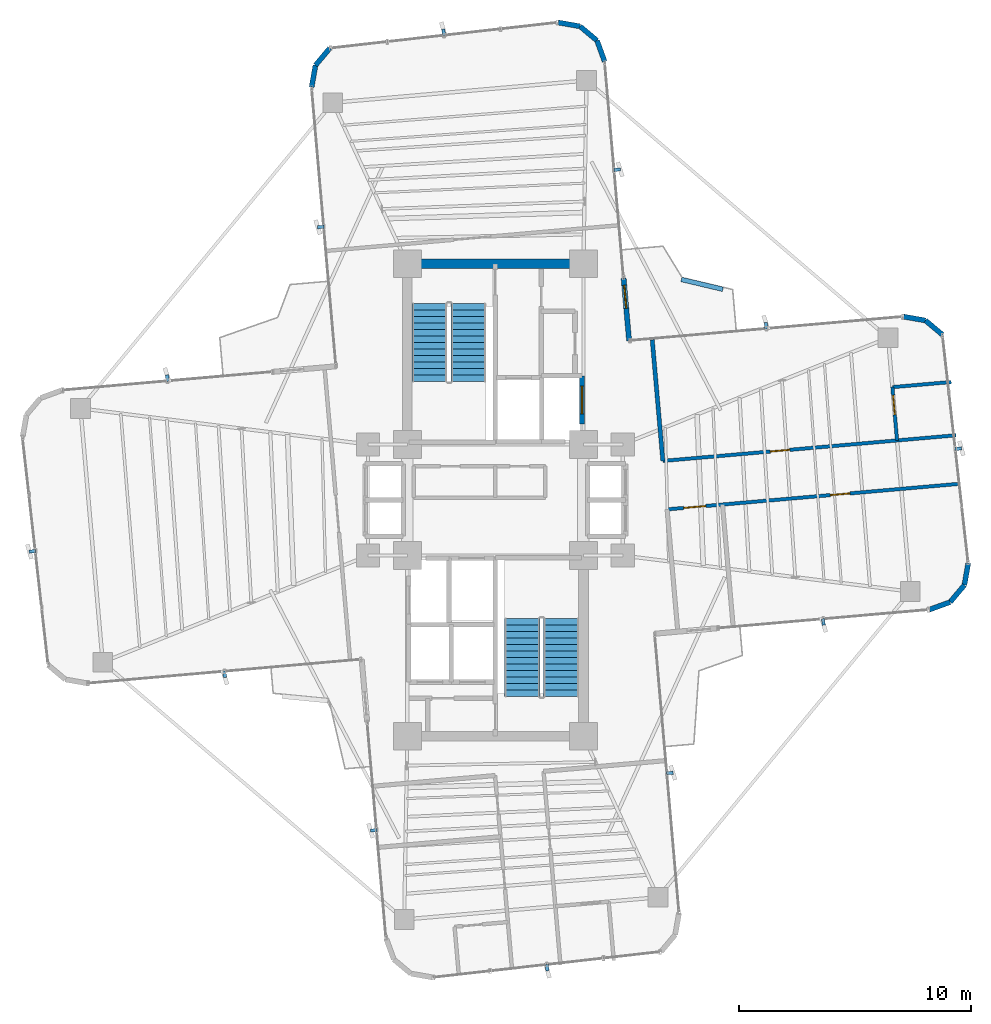
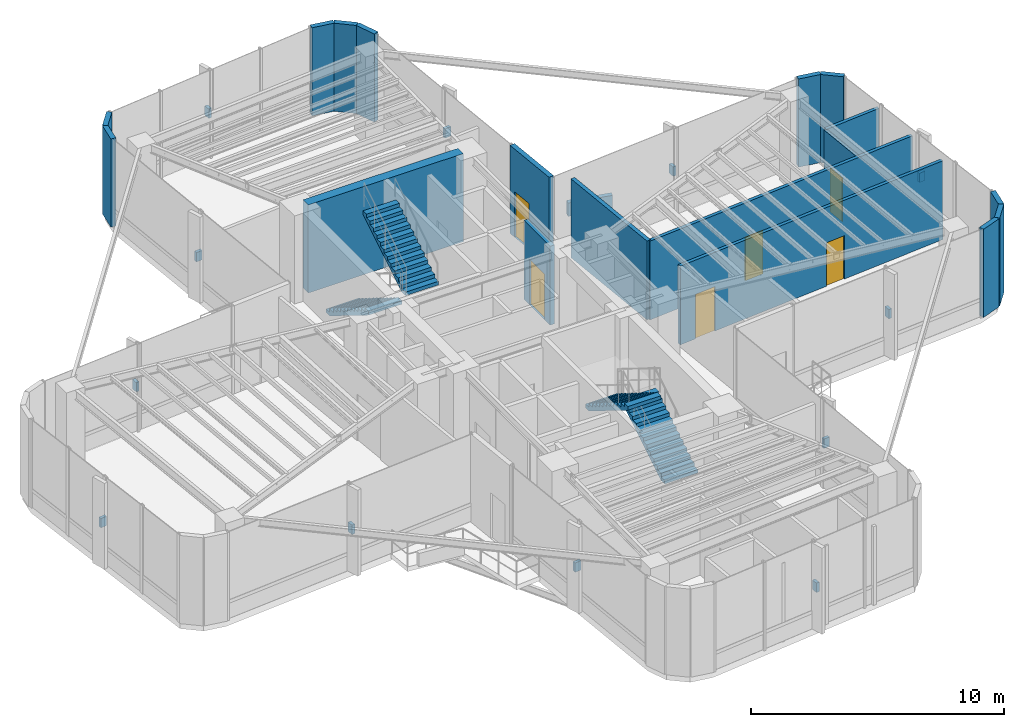
# One storey, part 18 of 19: 19 walls, 12 discrete accessories, 6 doors, 4 stair flights, 6 openings, 2 elements without a shape of their own.
"""IFC4 building model written with IfcOpenShell, lengths in metres."""

from ifc_helpers import new_model, si_unit, direction, frame, frame_2d, origin, origin_2d, place, context, subcontext, project, spatial, polyline, rectangle, outline, extrude, source, transform, mapped, material, layer, layer_set, type_object, element, fill, aggregate, save


model = new_model("IFC4")

# Units and contexts
model_context = context("Model", 3, precision=1e-05, world=origin(), true_north=direction((0.0, 1.0)))
body_context = subcontext(model_context, "Body", "Model", "MODEL_VIEW")
ifc_project = project(units=[si_unit("LENGTHUNIT", "METRE"), si_unit("AREAUNIT", "SQUARE_METRE"), si_unit("VOLUMEUNIT", "CUBIC_METRE"), si_unit("PLANEANGLEUNIT", "RADIAN"), si_unit("MASSUNIT", "GRAM", prefix="KILO")], contexts=[model_context])

# Site, building, storey
site_placement = place(None, origin())
site = spatial("IfcSite", under=ifc_project, at=site_placement, CompositionType="ELEMENT")
building_placement = place(site_placement, origin())
building = spatial("IfcBuilding", under=site, at=building_placement, Name="Sahyath Konkavel Grand Hotel", CompositionType="ELEMENT")
storey_placement = place(building_placement, frame((0.0, 0.0, 142.75)))
storey = spatial("IfcBuildingStorey", under=building, at=storey_placement, Name="L39", CompositionType="ELEMENT", Elevation=142.75)

# Walls
ifc_material_1 = material(Name="Concrete C50/60", Category="concrete")
ifc_layer_1 = layer(ifc_material_1, 0.419921875)
ifc_layer_set_1 = layer_set([ifc_layer_1], Name="Concrete C50/60")
wall_type_1 = type_object("IfcWallType", Name="CWALL-420", PredefinedType="SHEAR", material=ifc_layer_set_1)
wall_1_placement = place(storey_placement, frame((-3.550048828125, 10.199951171875, 0.0), z_axis=(0.0, 0.0, 1.0), x_axis=(1.0, 0.0, 0.0)))
element("IfcWall", 1, at=wall_1_placement, inside=storey, type_object=wall_type_1, Name="L39 North Core Shear Wall N", PredefinedType="SHEAR", context=body_context, shape_type="SweptSolid", body=[
    extrude(rectangle(XDim=7.10009765625, YDim=0.419921875, at=frame_2d((3.550048828125, 0.0))), origin(), (0.0, 0.0, 1.0), 4.260009765625),
])
ifc_material_2 = material(Name="Warm Buff Sandstone Insulated Concrete C40/50", Category="masonry")
ifc_layer_2 = layer(ifc_material_2, 0.219970703125)
ifc_layer_set_2 = layer_set([ifc_layer_2], Name="Warm Buff Sandstone Insulated Concrete C40/50")
wall_type_2 = type_object("IfcWallType", Name="WLL-BALC-THRESH", PredefinedType="STANDARD", material=ifc_layer_set_2)
wall_2_placement = place(storey_placement, frame((18.73388671875, -4.735107421875, 0.0), z_axis=(0.0, 0.0, 1.0), x_axis=(0.939741306239, 0.34188635151, 0.0)))
element("IfcWall", 2, at=wall_2_placement, inside=storey, type_object=wall_type_2, Name="L39 Rounded Corner Sandstone Pier 1", PredefinedType="STANDARD", context=body_context, shape_type="SweptSolid", body=[
    extrude(rectangle(XDim=0.95751953125, YDim=0.219970703125, at=frame_2d((0.478759765625, 0.0))), origin(), (0.0, 0.0, 1.0), 4.260009765625),
])
for number, where, z_axis, x_axis, name in (
    (3, (19.6337890625, -4.40771484375, 0.0), (0.0, 0.0, 1.0), (0.642863236823, 0.765980978054, 0.0), "L39 Rounded Corner Sandstone Pier 2"),
    (4, (20.24951171875, -3.674072265625, 0.0), (0.0, 0.0, 1.0), (0.173610811841, 0.984814340885, 0.0), "L39 Rounded Corner Sandstone Pier 3"),
):
    element("IfcWall", number, at=place(storey_placement, frame(where, z_axis=z_axis, x_axis=x_axis)), inside=storey, type_object=wall_type_2, Name=name, PredefinedType="STANDARD", context=body_context, shape_type="SweptSolid", body=[
        extrude(rectangle(XDim=0.957763671875, YDim=0.219970703125, at=frame_2d((0.47900390625, 0.0))), origin(), (0.0, 0.0, 1.0), 4.260009765625),
    ])
wall_3_placement = place(storey_placement, frame((19.3037109375, 7.134521484375, 0.0), z_axis=(0.0, 0.0, 1.0), x_axis=(-0.766001159887, 0.642839189107, 0.0)))
element("IfcWall", 5, at=wall_3_placement, inside=storey, type_object=wall_type_2, Name="L39 Rounded Corner Sandstone Pier 5", PredefinedType="STANDARD", context=body_context, shape_type="SweptSolid", body=[
    extrude(rectangle(XDim=0.95751953125, YDim=0.219970703125, at=frame_2d((0.478759765625, 0.0))), origin(), (0.0, 0.0, 1.0), 4.260009765625),
])
wall_4_placement = place(storey_placement, frame((18.5703125, 7.75, 0.0), z_axis=(0.0, 0.0, 1.0), x_axis=(-0.984770724397, 0.173858046606, 0.0)))
element("IfcWall", 6, at=wall_4_placement, inside=storey, type_object=wall_type_2, Name="L39 Rounded Corner Sandstone Pier 6", PredefinedType="STANDARD", context=body_context, shape_type="SweptSolid", body=[
    extrude(rectangle(XDim=0.957763671875, YDim=0.219970703125, at=frame_2d((0.47900390625, 0.0))), origin(), (0.0, 0.0, 1.0), 4.260009765625),
])

# Wall, opening, door
wall_5_placement = place(storey_placement, frame((5.7724609375, 6.87939453125, 0.0), z_axis=(0.0, 0.0, 1.0), x_axis=(-0.087168071984, 0.996193619346, 0.0)))
wall_5 = element("IfcWall", 7, at=wall_5_placement, inside=storey, type_object=wall_type_2, Name="L39 Winter-Garden Threshold Wall 8", PredefinedType="STANDARD", context=body_context, shape_type="SweptSolid", body=[
    extrude(rectangle(XDim=2.699951171875, YDim=0.219970703125, at=frame_2d((1.35009765625, 0.0))), origin(), (0.0, 0.0, 1.0), 4.260009765625),
])
opening_1_placement = place(wall_5_placement, frame((1.39990234375, 0.0, 0.0)))
opening_1 = element("IfcOpeningElement", 8, at=opening_1_placement, cuts=wall_5, Name="Opening D-TR1", PredefinedType="OPENING", context=body_context, shape_type="SweptSolid", body=[
    extrude(rectangle(XDim=1.0, YDim=2.199951171875, at=frame_2d((0.5, 1.10009765625))), frame((0.0, 0.1201171875, 0.0), z_axis=(0.0, -1.0, 0.0), x_axis=(1.0, 0.0, 0.0)), (0.0, 0.0, 1.0), 0.239990234375),
])
ifc_material_3 = material(Name="Anodised Bronze Aluminium & Low-E Glazing", Category="aluminium")
door_type_1 = type_object("IfcDoorType", Name="DR-TERRACE-1000", OperationType="NOTDEFINED", PredefinedType="DOOR", material=ifc_material_3)
shared_shape_1 = source(origin(), body_context, "Body", "SweptSolid", [
    extrude(rectangle(XDim=1.0, YDim=0.050048828125, at=origin_2d()), origin(), (0.0, 0.0, 1.0), 2.199951171875),
])
door_1_placement = place(opening_1_placement, frame((0.5, 0.0, 0.0)))
door_1 = element("IfcDoor", 9, at=door_1_placement, inside=storey, type_object=door_type_1, Name="L39 Winter-Garden Terrace Door 8", OperationType="SINGLE_SWING_LEFT", OverallHeight=2.199951171875, OverallWidth=1.0, PredefinedType="DOOR", context=body_context, shape_type="MappedRepresentation", body=[
    mapped(shared_shape_1, transform((0.0, 0.0, 0.0), scale=1.0)),
])
fill(opening_1, door_1)

# Walls
wall_6_placement = place(storey_placement, frame((4.7177734375, 18.93310546875, 0.0), z_axis=(0.0, 0.0, 1.0), x_axis=(-0.34188635151, 0.939741306239, 0.0)))
element("IfcWall", 10, at=wall_6_placement, inside=storey, type_object=wall_type_2, Name="L39 Rounded Corner Sandstone Pier 9", PredefinedType="STANDARD", context=body_context, shape_type="SweptSolid", body=[
    extrude(rectangle(XDim=0.95751953125, YDim=0.219970703125, at=frame_2d((0.478759765625, 0.0))), origin(), (0.0, 0.0, 1.0), 4.260009765625),
])
for number, where, z_axis, x_axis, name in (
    (11, (4.390380859375, 19.8330078125, 0.0), (0.0, 0.0, 1.0), (-0.765980978054, 0.642863236823, 0.0), "L39 Rounded Corner Sandstone Pier 10"),
    (12, (3.65673828125, 20.44873046875, 0.0), (0.0, 0.0, 1.0), (-0.984814340885, 0.173610811841, 0.0), "L39 Rounded Corner Sandstone Pier 11"),
):
    element("IfcWall", number, at=place(storey_placement, frame(where, z_axis=z_axis, x_axis=x_axis)), inside=storey, type_object=wall_type_2, Name=name, PredefinedType="STANDARD", context=body_context, shape_type="SweptSolid", body=[
        extrude(rectangle(XDim=0.957763671875, YDim=0.219970703125, at=frame_2d((0.47900390625, 0.0))), origin(), (0.0, 0.0, 1.0), 4.260009765625),
    ])
for number, where, z_axis, x_axis, name in (
    (13, (-7.152099609375, 19.5029296875, 0.0), (0.0, 0.0, 1.0), (-0.642713642115, -0.766106503196, 0.0), "L39 Rounded Corner Sandstone Pier 13"),
    (14, (-7.767578125, 18.769287109375, 0.0), (0.0, 0.0, 1.0), (-0.173654409999, -0.984806654064, 0.0), "L39 Rounded Corner Sandstone Pier 14"),
):
    element("IfcWall", number, at=place(storey_placement, frame(where, z_axis=z_axis, x_axis=x_axis)), inside=storey, type_object=wall_type_2, Name=name, PredefinedType="STANDARD", context=body_context, shape_type="SweptSolid", body=[
        extrude(rectangle(XDim=0.95751953125, YDim=0.219970703125, at=frame_2d((0.478759765625, 0.0))), origin(), (0.0, 0.0, 1.0), 4.260009765625),
    ])

# Wall, opening, door
ifc_material_4 = material(Name="Concrete C40/50", Category="concrete")
ifc_layer_3 = layer(ifc_material_4, 0.199951171875)
ifc_layer_set_3 = layer_set([ifc_layer_3], Name="Concrete C40/50")
wall_type_3 = type_object("IfcWallType", Name="WLL-CORE-200", PredefinedType="SOLIDWALL", material=ifc_layer_set_3)
wall_7_placement = place(storey_placement, frame((3.739990234375, 3.280029296875, 0.0), z_axis=(0.0, 0.0, 1.0), x_axis=(0.0, 1.0, 0.0)))
wall_7 = element("IfcWall", 15, at=wall_7_placement, inside=storey, type_object=wall_type_3, Name="L39 Partition SH-SVL1-E", PredefinedType="SOLIDWALL", context=body_context, shape_type="SweptSolid", body=[
    extrude(rectangle(XDim=2.080078125, YDim=0.199951171875, at=frame_2d((1.0400390625, 0.0))), origin(), (0.0, 0.0, 1.0), 3.81005859375),
])
opening_2_placement = place(wall_7_placement, frame((0.43994140625, 0.0, 0.0)))
opening_2 = element("IfcOpeningElement", 16, at=opening_2_placement, cuts=wall_7, Name="Opening LD-12", PredefinedType="OPENING", context=body_context, shape_type="SweptSolid", body=[
    extrude(rectangle(XDim=1.199951171875, YDim=2.199951171875, at=frame_2d((0.60009765625, 1.10009765625))), frame((0.0, 0.10986328125, 0.0), z_axis=(0.0, -1.0, 0.0), x_axis=(1.0, 0.0, 0.0)), (0.0, 0.0, 1.0), 0.219970703125),
])
ifc_material_5 = material(Name="Stainless Steel Lift Landing Door 1200", Category="steel")
door_type_2 = type_object("IfcDoorType", Name="DR-LIFT-1200", OperationType="DOUBLE_DOOR_SLIDING", PredefinedType="DOOR", material=ifc_material_5)
shared_shape_2 = source(origin(), body_context, "Body", "SweptSolid", [
    extrude(rectangle(XDim=1.199951171875, YDim=0.050048828125, at=origin_2d()), origin(), (0.0, 0.0, 1.0), 2.199951171875),
])
door_2_placement = place(opening_2_placement, frame((0.60009765625, 0.0, 0.0)))
door_2 = element("IfcDoor", 17, at=door_2_placement, inside=storey, type_object=door_type_2, Name="L39 Service Lift SVL-1 Landing Door", OperationType="DOUBLE_DOOR_SLIDING", OverallHeight=2.199951171875, OverallWidth=1.199951171875, PredefinedType="DOOR", context=body_context, shape_type="MappedRepresentation", body=[
    mapped(shared_shape_2, transform((0.0, 0.0, 0.0), scale=1.0)),
])
fill(opening_2, door_2)

# Wall
ifc_material_6 = material(Name="Twin-Stud Acoustic Gypsum Plasterboard Partition")
ifc_layer_4 = layer(ifc_material_6, 0.179931640625)
ifc_layer_set_4 = layer_set([ifc_layer_4], Name="Twin-Stud Acoustic Gypsum Plasterboard Partition")
wall_type_4 = type_object("IfcWallType", Name="WLL-DEMISE-180", PredefinedType="PARTITIONING", material=ifc_layer_set_4)
wall_8_placement = place(storey_placement, frame((7.23046875, 1.6865234375, 0.0), z_axis=(0.0, 0.0, 1.0), x_axis=(-0.087147336495, 0.996195433508, 0.0)))
element("IfcWall", 18, at=wall_8_placement, inside=storey, type_object=wall_type_4, Name="L39 Partition L39-E-INL", PredefinedType="PARTITIONING", context=body_context, shape_type="SweptSolid", body=[
    extrude(rectangle(XDim=5.25, YDim=0.179931640625, at=frame_2d((2.625, 0.0))), origin(), (0.0, 0.0, 1.0), 3.81005859375),
])

# Wall, opening, door
ifc_material_7 = material(Name="Fire-Rated Gypsum Plasterboard Partition")
ifc_layer_5 = layer(ifc_material_7, 0.14990234375)
ifc_layer_set_5 = layer_set([ifc_layer_5], Name="Fire-Rated Gypsum Plasterboard Partition")
wall_type_5 = type_object("IfcWallType", Name="WLL-PART-150", PredefinedType="PARTITIONING", material=ifc_layer_set_5)
wall_9_placement = place(storey_placement, frame((7.23046875, 1.6865234375, 0.0), z_axis=(0.0, 0.0, 1.0), x_axis=(0.996194280863, 0.087160511558, 0.0)))
wall_9 = element("IfcWall", 19, at=wall_9_placement, inside=storey, type_object=wall_type_5, Name="L39 Partition L39-E-CL", PredefinedType="PARTITIONING", context=body_context, shape_type="SweptSolid", body=[
    extrude(rectangle(XDim=12.699951171875, YDim=0.14990234375, at=frame_2d((6.35009765625, 0.0))), origin(), (0.0, 0.0, 1.0), 3.81005859375),
])
opening_3_placement = place(wall_9_placement, frame((4.64990234375, 0.0, 0.0)))
opening_3 = element("IfcOpeningElement", 20, at=opening_3_placement, cuts=wall_9, Name="Opening D-F06D", PredefinedType="OPENING", context=body_context, shape_type="SweptSolid", body=[
    extrude(rectangle(XDim=0.85009765625, YDim=2.10009765625, at=frame_2d((0.425048828125, 1.050048828125))), frame((0.0, 0.0849609375, 0.0), z_axis=(0.0, -1.0, 0.0), x_axis=(1.0, 0.0, 0.0)), (0.0, 0.0, 1.0), 0.169921875),
])
ifc_material_8 = material(Name="Fire-Rated Shaft Access Door")
door_type_3 = type_object("IfcDoorType", Name="DR-FD60-850", OperationType="NOTDEFINED", PredefinedType="DOOR", material=ifc_material_8)
shared_shape_3 = source(origin(), body_context, "Body", "SweptSolid", [
    extrude(rectangle(XDim=0.85009765625, YDim=0.050048828125, at=origin_2d()), origin(), (0.0, 0.0, 1.0), 2.10009765625),
])
door_3_placement = place(opening_3_placement, frame((0.425048828125, 0.0, 0.0)))
door_3 = element("IfcDoor", 21, at=door_3_placement, inside=storey, type_object=door_type_3, Name="L39 Door E-ES1-ED", OperationType="SINGLE_SWING_RIGHT", OverallHeight=2.10009765625, OverallWidth=0.85009765625, PredefinedType="DOOR", context=body_context, shape_type="MappedRepresentation", body=[
    mapped(shared_shape_3, transform((0.0, 0.0, 0.0), scale=1.0)),
])
fill(opening_3, door_3)

# Wall, openings, doors
wall_10_placement = place(storey_placement, frame((7.41357421875, -0.405517578125, 0.0), z_axis=(0.0, 0.0, 1.0), x_axis=(0.996194280863, 0.087160511558, 0.0)))
wall_10 = element("IfcWall", 22, at=wall_10_placement, inside=storey, type_object=wall_type_5, Name="L39 Partition L39-E-CR", PredefinedType="PARTITIONING", context=body_context, shape_type="SweptSolid", body=[
    extrude(rectangle(XDim=12.699951171875, YDim=0.14990234375, at=frame_2d((6.35009765625, 0.0))), origin(), (0.0, 0.0, 1.0), 3.81005859375),
])
opening_4_placement = place(wall_10_placement, frame((0.72509765625, 0.0, 0.0)))
opening_4 = element("IfcOpeningElement", 23, at=opening_4_placement, cuts=wall_10, Name="Opening D-AC95", PredefinedType="OPENING", context=body_context, shape_type="SweptSolid", body=[
    extrude(rectangle(XDim=0.949951171875, YDim=2.14990234375, at=frame_2d((0.47509765625, 1.074951171875))), frame((0.0, 0.0849609375, 0.0), z_axis=(0.0, -1.0, 0.0), x_axis=(1.0, 0.0, 0.0)), (0.0, 0.0, 1.0), 0.169921875),
])
opening_5_placement = place(wall_10_placement, frame((7.074951171875, 0.0, 0.0)))
opening_5 = element("IfcOpeningElement", 24, at=opening_5_placement, cuts=wall_10, Name="Opening D-F06D", PredefinedType="OPENING", context=body_context, shape_type="SweptSolid", body=[
    extrude(rectangle(XDim=0.85009765625, YDim=2.10009765625, at=frame_2d((0.425048828125, 1.050048828125))), frame((0.0, 0.0849609375, 0.0), z_axis=(0.0, -1.0, 0.0), x_axis=(1.0, 0.0, 0.0)), (0.0, 0.0, 1.0), 0.169921875),
])
ifc_material_9 = material(Name="Accessible Washroom Timber Door", Category="wood")
door_type_4 = type_object("IfcDoorType", Name="DR-ACC-950", OperationType="NOTDEFINED", PredefinedType="DOOR", material=ifc_material_9)
shared_shape_4 = source(origin(), body_context, "Body", "SweptSolid", [
    extrude(rectangle(XDim=0.949951171875, YDim=0.050048828125, at=origin_2d()), origin(), (0.0, 0.0, 1.0), 2.14990234375),
])
door_4_placement = place(opening_4_placement, frame((0.47509765625, 0.0, 0.0)))
door_4 = element("IfcDoor", 25, at=door_4_placement, inside=storey, type_object=door_type_4, Name="L39 Door E-EAWC-D", OperationType="SINGLE_SWING_LEFT", OverallHeight=2.14990234375, OverallWidth=0.949951171875, PredefinedType="DOOR", context=body_context, shape_type="MappedRepresentation", body=[
    mapped(shared_shape_4, transform((0.0, 0.0, 0.0), scale=1.0)),
])
fill(opening_4, door_4)
door_5_placement = place(opening_5_placement, frame((0.425048828125, 0.0, 0.0)))
door_5 = element("IfcDoor", 26, at=door_5_placement, inside=storey, type_object=door_type_3, Name="L39 Door E-EMTG-D", OperationType="SINGLE_SWING_RIGHT", OverallHeight=2.10009765625, OverallWidth=0.85009765625, PredefinedType="DOOR", context=body_context, shape_type="MappedRepresentation", body=[
    mapped(shared_shape_3, transform((0.0, 0.0, 0.0), scale=1.0)),
])
fill(opening_5, door_5)

# Wall, opening, door
wall_11_placement = place(storey_placement, frame((17.341796875, 2.5712890625, 0.0), z_axis=(0.0, 0.0, 1.0), x_axis=(-0.087094835072, 0.996200024947, 0.0)))
wall_11 = element("IfcWall", 27, at=wall_11_placement, inside=storey, type_object=wall_type_5, Name="L39 Partition E-ES1-BS", PredefinedType="PARTITIONING", context=body_context, shape_type="SweptSolid", body=[
    extrude(rectangle(XDim=2.309814453125, YDim=0.14990234375, at=frame_2d((1.15478515625, 0.0))), origin(), (0.0, 0.0, 1.0), 3.780029296875),
])
opening_6_placement = place(wall_11_placement, frame((1.110107421875, 0.0, 0.0)))
opening_6 = element("IfcOpeningElement", 28, at=opening_6_placement, cuts=wall_11, Name="Opening D-BT85", PredefinedType="OPENING", context=body_context, shape_type="SweptSolid", body=[
    extrude(rectangle(XDim=0.85009765625, YDim=2.10009765625, at=frame_2d((0.425048828125, 1.050048828125))), frame((0.0, 0.0849609375, 0.0), z_axis=(0.0, -1.0, 0.0), x_axis=(1.0, 0.0, 0.0)), (0.0, 0.0, 1.0), 0.169921875),
])
ifc_material_10 = material(Name="Moisture-Resistant Teak Bathroom Door")
door_type_5 = type_object("IfcDoorType", Name="DR-BATH-850", OperationType="NOTDEFINED", PredefinedType="DOOR", material=ifc_material_10)
door_6_placement = place(opening_6_placement, frame((0.425048828125, 0.0, 0.0)))
door_6 = element("IfcDoor", 29, at=door_6_placement, inside=storey, type_object=door_type_5, Name="L39 Door E-ES1-BD", OperationType="SINGLE_SWING_LEFT", OverallHeight=2.10009765625, OverallWidth=0.85009765625, PredefinedType="DOOR", context=body_context, shape_type="MappedRepresentation", body=[
    mapped(shared_shape_3, transform((0.0, 0.0, 0.0), scale=1.0)),
])
fill(opening_6, door_6)

# Walls
wall_12_placement = place(storey_placement, frame((17.140625, 4.872314453125, 0.0), z_axis=(0.0, 0.0, 1.0), x_axis=(0.996189039596, 0.08722039549, 0.0)))
element("IfcWall", 30, at=wall_12_placement, inside=storey, type_object=wall_type_5, Name="L39 Partition E-ES1-BF", PredefinedType="PARTITIONING", context=body_context, shape_type="SweptSolid", body=[
    extrude(rectangle(XDim=2.550048828125, YDim=0.14990234375, at=frame_2d((1.27490234375, 0.0))), origin(), (0.0, 0.0, 1.0), 3.81005859375),
])
ifc_material_11 = material(Name="Warm Buff Sandstone Planter Wall", Category="masonry")
ifc_layer_6 = layer(ifc_material_11, 0.199951171875)
ifc_layer_set_6 = layer_set([ifc_layer_6], Name="Warm Buff Sandstone Planter Wall")
wall_type_6 = type_object("IfcWallType", Name="WLL-PLANTER-200", PredefinedType="PARAPET", material=ifc_layer_set_6)
wall_13_placement = place(storey_placement, frame((9.822021484375, 9.09716796875, 0.0), z_axis=(0.0, 0.0, 1.0), x_axis=(-0.97309123406, 0.230420160135, 0.0)))
element("IfcWall", 31, at=wall_13_placement, inside=storey, type_object=wall_type_6, Name="L39 Sky-Garden Stone Planter PLANTER NE", PredefinedType="PARAPET", context=body_context, shape_type="SweptSolid", body=[
    extrude(rectangle(XDim=1.842529296875, YDim=0.199951171875, at=frame_2d((0.92138671875, 0.0))), origin(), (0.0, 0.0, 1.0), 0.64990234375),
])

# Stair, stair flights
stair_type = type_object("IfcStairType", Name="STR-ST16-450", PredefinedType="HALF_TURN_STAIR", material=ifc_material_4)
stair_1_placement = place(storey_placement, origin())
stair_1 = element("IfcStair", 32, at=stair_1_placement, inside=storey, type_object=stair_type, Name="L39 North Core Smokeproof Exit Stair ST-1", PredefinedType="HALF_TURN_STAIR")
stair_flight_type = type_object("IfcStairFlightType", Name="STF-ST16-450", PredefinedType="STRAIGHT", material=ifc_material_4)
stair_flight_1_placement = place(storey_placement, frame((-2.840087890625, 8.47998046875, 0.0), z_axis=(0.0, 0.0, 1.0), x_axis=(0.0, -1.0, 0.0)))
stair_flight_1 = element("IfcStairFlight", 33, at=stair_flight_1_placement, type_object=stair_flight_type, Name="ST-1 flight 1", NumberOfRisers=13, NumberOfTreads=12, PredefinedType="STRAIGHT", RiserHeight=0.173076923, TreadLength=0.28, context=body_context, shape_type="SweptSolid", body=[
    extrude(outline(polyline([(0.0, 0.0), (0.0, 0.173095703125), (0.280029296875, 0.173095703125), (0.280029296875, 0.34619140625), (0.56005859375, 0.34619140625), (0.56005859375, 0.519287109375), (0.840087890625, 0.519287109375), (0.840087890625, 0.6923828125), (1.1201171875, 0.6923828125), (1.1201171875, 0.865478515625), (1.39990234375, 0.865478515625), (1.39990234375, 1.03857421875), (1.679931640625, 1.03857421875), (1.679931640625, 1.21142578125), (1.9599609375, 1.21142578125), (1.9599609375, 1.384521484375), (2.239990234375, 1.384521484375), (2.239990234375, 1.5576171875), (2.52001953125, 1.5576171875), (2.52001953125, 1.730712890625), (2.800048828125, 1.730712890625), (2.800048828125, 1.90380859375), (3.080078125, 1.90380859375), (3.080078125, 2.076904296875), (3.360107421875, 2.076904296875), (3.360107421875, 2.25), (3.360107421875, 1.900634765625), (0.28515625, 0.0), (0.0, 0.0)])), frame((0.0, 0.760009765625, 0.0), z_axis=(0.0, -1.0, 0.0), x_axis=(1.0, 0.0, 0.0)), (0.0, 0.0, 1.0), 1.52001953125),
])
stair_flight_2_placement = place(storey_placement, frame((-1.159912109375, 5.1201171875, 2.25), z_axis=(0.0, 0.0, 1.0), x_axis=(0.0, 1.0, 0.0)))
stair_flight_2 = element("IfcStairFlight", 34, at=stair_flight_2_placement, type_object=stair_flight_type, Name="ST-1 flight 2", NumberOfRisers=13, NumberOfTreads=12, PredefinedType="STRAIGHT", RiserHeight=0.173076923, TreadLength=0.28, context=body_context, shape_type="SweptSolid", body=[
    extrude(outline(polyline([(0.0, 0.0), (0.0, 0.173095703125), (0.280029296875, 0.173095703125), (0.280029296875, 0.34619140625), (0.56005859375, 0.34619140625), (0.56005859375, 0.519287109375), (0.840087890625, 0.519287109375), (0.840087890625, 0.6923828125), (1.1201171875, 0.6923828125), (1.1201171875, 0.865478515625), (1.39990234375, 0.865478515625), (1.39990234375, 1.03857421875), (1.679931640625, 1.03857421875), (1.679931640625, 1.21142578125), (1.9599609375, 1.21142578125), (1.9599609375, 1.384521484375), (2.239990234375, 1.384521484375), (2.239990234375, 1.5576171875), (2.52001953125, 1.5576171875), (2.52001953125, 1.730712890625), (2.800048828125, 1.730712890625), (2.800048828125, 1.90380859375), (3.080078125, 1.90380859375), (3.080078125, 2.076904296875), (3.360107421875, 2.076904296875), (3.360107421875, 2.25), (3.360107421875, 1.900634765625), (0.28515625, 0.0), (0.0, 0.0)])), frame((0.0, 0.760009765625, 0.0), z_axis=(0.0, -1.0, 0.0), x_axis=(1.0, 0.0, 0.0)), (0.0, 0.0, 1.0), 1.52001953125),
])
aggregate(stair_1, [stair_flight_1, stair_flight_2])

stair_2_placement = place(storey_placement, origin())
stair_2 = element("IfcStair", 35, at=stair_2_placement, inside=storey, type_object=stair_type, Name="L39 South Core Smokeproof Exit Stair ST-2", PredefinedType="HALF_TURN_STAIR")
stair_flight_3_placement = place(storey_placement, frame((2.840087890625, -8.47998046875, 0.0), z_axis=(0.0, 0.0, 1.0), x_axis=(0.0, 1.0, 0.0)))
stair_flight_3 = element("IfcStairFlight", 36, at=stair_flight_3_placement, type_object=stair_flight_type, Name="ST-2 flight 1", NumberOfRisers=13, NumberOfTreads=12, PredefinedType="STRAIGHT", RiserHeight=0.173076923, TreadLength=0.28, context=body_context, shape_type="SweptSolid", body=[
    extrude(outline(polyline([(0.0, 0.0), (0.0, 0.173095703125), (0.280029296875, 0.173095703125), (0.280029296875, 0.34619140625), (0.56005859375, 0.34619140625), (0.56005859375, 0.519287109375), (0.840087890625, 0.519287109375), (0.840087890625, 0.6923828125), (1.1201171875, 0.6923828125), (1.1201171875, 0.865478515625), (1.39990234375, 0.865478515625), (1.39990234375, 1.03857421875), (1.679931640625, 1.03857421875), (1.679931640625, 1.21142578125), (1.9599609375, 1.21142578125), (1.9599609375, 1.384521484375), (2.239990234375, 1.384521484375), (2.239990234375, 1.5576171875), (2.52001953125, 1.5576171875), (2.52001953125, 1.730712890625), (2.800048828125, 1.730712890625), (2.800048828125, 1.90380859375), (3.080078125, 1.90380859375), (3.080078125, 2.076904296875), (3.360107421875, 2.076904296875), (3.360107421875, 2.25), (3.360107421875, 1.900634765625), (0.28515625, 0.0), (0.0, 0.0)])), frame((0.0, 0.760009765625, 0.0), z_axis=(0.0, -1.0, 0.0), x_axis=(1.0, 0.0, 0.0)), (0.0, 0.0, 1.0), 1.52001953125),
])
stair_flight_4_placement = place(storey_placement, frame((1.159912109375, -5.1201171875, 2.25), z_axis=(0.0, 0.0, 1.0), x_axis=(0.0, -1.0, 0.0)))
stair_flight_4 = element("IfcStairFlight", 37, at=stair_flight_4_placement, type_object=stair_flight_type, Name="ST-2 flight 2", NumberOfRisers=13, NumberOfTreads=12, PredefinedType="STRAIGHT", RiserHeight=0.173076923, TreadLength=0.28, context=body_context, shape_type="SweptSolid", body=[
    extrude(outline(polyline([(0.0, 0.0), (0.0, 0.173095703125), (0.280029296875, 0.173095703125), (0.280029296875, 0.34619140625), (0.56005859375, 0.34619140625), (0.56005859375, 0.519287109375), (0.840087890625, 0.519287109375), (0.840087890625, 0.6923828125), (1.1201171875, 0.6923828125), (1.1201171875, 0.865478515625), (1.39990234375, 0.865478515625), (1.39990234375, 1.03857421875), (1.679931640625, 1.03857421875), (1.679931640625, 1.21142578125), (1.9599609375, 1.21142578125), (1.9599609375, 1.384521484375), (2.239990234375, 1.384521484375), (2.239990234375, 1.5576171875), (2.52001953125, 1.5576171875), (2.52001953125, 1.730712890625), (2.800048828125, 1.730712890625), (2.800048828125, 1.90380859375), (3.080078125, 1.90380859375), (3.080078125, 2.076904296875), (3.360107421875, 2.076904296875), (3.360107421875, 2.25), (3.360107421875, 1.900634765625), (0.28515625, 0.0), (0.0, 0.0)])), frame((0.0, 0.760009765625, 0.0), z_axis=(0.0, -1.0, 0.0), x_axis=(1.0, 0.0, 0.0)), (0.0, 0.0, 1.0), 1.52001953125),
])
aggregate(stair_2, [stair_flight_3, stair_flight_4])

# Discrete accessories
ifc_material_12 = material(Name="Steel E350", Category="steel")
discrete_accessory_type = type_object("IfcDiscreteAccessoryType", Name="ACC-FIN-BRACKET", PredefinedType="BRACKET", material=ifc_material_12)
shared_shape_5 = source(origin(), body_context, "Body", "SweptSolid", [
    extrude(rectangle(XDim=0.280029296875, YDim=0.139892578125, at=origin_2d()), origin(), (0.0, 0.0, 1.0), 0.449951171875),
])
for number, where, z_axis, x_axis, name in (
    (38, (14.162841796875, -5.265625, 1.90478515625), (0.0, 0.0, 1.0), (0.087155742748, -0.996194698092, 0.0), "L39 Fin Support Bracket F0-1"),
    (39, (19.989013671875, 2.21630859375, 1.90478515625), (0.0, 0.0, 1.0), (0.993709417943, 0.111989252568, 0.0), "L39 Fin Support Bracket F4-2"),
    (40, (11.6884765625, 7.52734375, 1.90478515625), (0.0, 0.0, 1.0), (-0.087155742748, 0.996194698092, 0.0), "L39 Fin Support Bracket F7-1"),
    (41, (5.2568359375, 14.262451171875, 1.90478515625), (0.0, 0.0, 1.0), (0.996194698092, 0.087155742748, 0.0), "L39 Fin Support Bracket F8-1"),
    (42, (-2.23388671875, 20.188232421875, 1.90478515625), (0.0, 0.0, 1.0), (-0.112006596052, 0.993707463211, 0.0), "L39 Fin Support Bracket F12-2"),
    (43, (-7.5361328125, 11.7880859375, 1.90478515625), (0.0, 0.0, 1.0), (-0.996194698092, -0.087155742748, 0.0), "L39 Fin Support Bracket F15-1"),
    (44, (-14.162841796875, 5.265625, 1.90478515625), (0.0, 0.0, 1.0), (-0.087155742748, 0.996194698092, 0.0), "L39 Fin Support Bracket F16-1"),
    (45, (-19.989013671875, -2.21630859375, 1.90478515625), (0.0, 0.0, 1.0), (-0.993709417943, -0.111989252568, 0.0), "L39 Fin Support Bracket F20-2"),
    (46, (-11.6884765625, -7.52734375, 1.90478515625), (0.0, 0.0, 1.0), (0.087155742748, -0.996194698092, 0.0), "L39 Fin Support Bracket F23-1"),
    (47, (-5.2568359375, -14.262451171875, 1.90478515625), (0.0, 0.0, 1.0), (-0.996194698092, -0.087155742748, 0.0), "L39 Fin Support Bracket F24-1"),
    (48, (2.23388671875, -20.188232421875, 1.90478515625), (0.0, 0.0, 1.0), (0.112006596052, -0.993707463211, 0.0), "L39 Fin Support Bracket F28-2"),
    (49, (7.5361328125, -11.7880859375, 1.90478515625), (0.0, 0.0, 1.0), (0.996194698092, 0.087155742748, 0.0), "L39 Fin Support Bracket F31-1"),
):
    element("IfcDiscreteAccessory", number, at=place(storey_placement, frame(where, z_axis=z_axis, x_axis=x_axis)), inside=storey, type_object=discrete_accessory_type, Name=name, PredefinedType="BRACKET", context=body_context, shape_type="MappedRepresentation", body=[
        mapped(shared_shape_5, transform((0.0, 0.0, 0.0), scale=1.0)),
    ])

save(model, "model.ifc")
